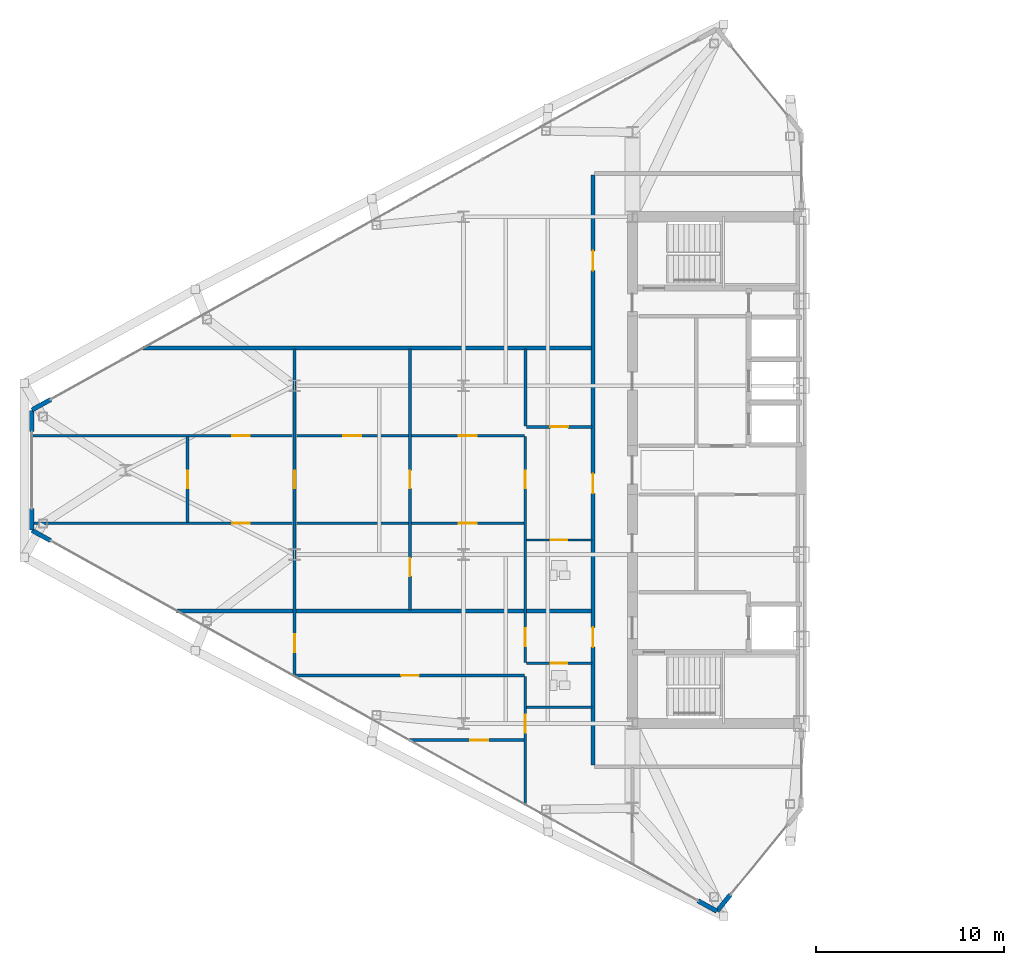
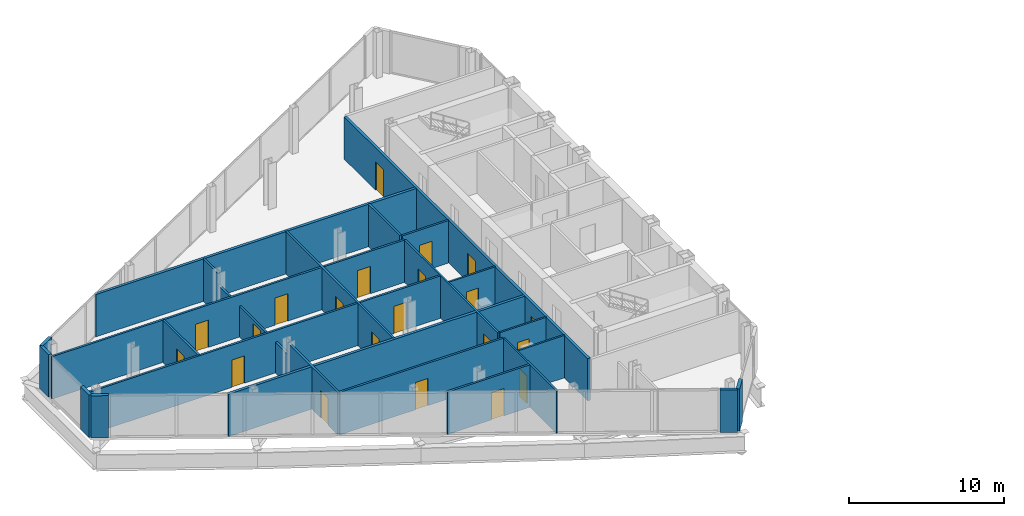
# One storey, part 20 of 28: 25 walls, 21 doors, 21 openings.
"""IFC4 building model written with IfcOpenShell, lengths in metres."""

from ifc_helpers import new_model, si_unit, direction, frame, frame_2d, origin, place, context, subcontext, project, spatial, rectangle, extrude, source, transform, mapped, material, layer, layer_set, type_object, type_shapes, element, fill, save


model = new_model("IFC4")

# Units and contexts
model_context = context("Model", 3, precision=1e-05, world=origin(), true_north=direction((0.0, 1.0)))
body_context = subcontext(model_context, "Body", "Model", "MODEL_VIEW")
ifc_project = project(units=[si_unit("LENGTHUNIT", "METRE"), si_unit("AREAUNIT", "SQUARE_METRE"), si_unit("VOLUMEUNIT", "CUBIC_METRE"), si_unit("PLANEANGLEUNIT", "RADIAN"), si_unit("MASSUNIT", "GRAM", prefix="KILO")], contexts=[model_context])

# Site, building, storey
site_placement = place(None, origin())
site = spatial("IfcSite", under=ifc_project, at=site_placement, CompositionType="ELEMENT")
building_placement = place(site_placement, origin())
building = spatial("IfcBuilding", under=site, at=building_placement, Name="Seokmaru Belvedere", CompositionType="ELEMENT")
storey_placement = place(building_placement, frame((0.0, 0.0, 158.39990234375)))
storey = spatial("IfcBuildingStorey", under=building, at=storey_placement, Name="L42", CompositionType="ELEMENT", Elevation=158.39990234375)

# Wall, opening, door
ifc_material_1 = material(Name="Fire-Rated Gypsum Shaftwall")
ifc_layer_1 = layer(ifc_material_1, 0.14990234375)
ifc_layer_set_1 = layer_set([ifc_layer_1], Name="Fire-Rated Gypsum Shaftwall")
wall_type_1 = type_object("IfcWallType", Name="Apartment Fire-Acoustic Room Partition 150", PredefinedType="PARTITIONING", material=ifc_layer_set_1)
wall_1_placement = place(storey_placement, frame((-48.425048828125, -14.3798828125, 0.0), z_axis=(0.0, 0.0, 1.0), x_axis=(1.0, 0.0, 0.0)))
wall_1 = element("IfcWall", 1, at=wall_1_placement, inside=storey, type_object=wall_type_1, Name="L42 Interior Partition 003", PredefinedType="PARTITIONING", context=body_context, shape_type="SweptSolid", body=[
    extrude(rectangle(XDim=6.175048828125, YDim=0.14990234375, at=frame_2d((3.08740234375, 0.0))), origin(), (0.0, 0.0, 1.0), 3.340087890625),
])
opening_1_placement = place(wall_1_placement, frame((3.281494140625, 0.0, 0.0)))
opening_1 = element("IfcOpeningElement", 2, at=opening_1_placement, cuts=wall_1, Name="Opening D05", PredefinedType="OPENING", context=body_context, shape_type="SweptSolid", body=[
    extrude(rectangle(XDim=0.949951171875, YDim=2.14990234375, at=frame_2d((0.47509765625, 1.074951171875))), frame((0.0, 0.0849609375, 0.0), z_axis=(0.0, -1.0, 0.0), x_axis=(1.0, 0.0, 0.0)), (0.0, 0.0, 1.0), 0.169921875),
])
ifc_material_2 = material(Name="Engineered White Oak Timber", Category="wood")
door_type_1 = type_object("IfcDoorType", Name="Apartment Interior Fire-Rated Oak Door 950x2150", OperationType="NOTDEFINED", PredefinedType="DOOR", material=ifc_material_2)
shared_shape_1 = source(origin(), body_context, "Body", "SweptSolid", [
    extrude(rectangle(XDim=0.949951171875, YDim=2.14990234375, at=frame_2d((0.47509765625, 1.074951171875))), frame((0.0, 0.02490234375, 0.0), z_axis=(0.0, -1.0, 0.0), x_axis=(1.0, 0.0, 0.0)), (0.0, 0.0, 1.0), 0.050048828125),
])
type_shapes(door_type_1, [shared_shape_1])
door_1_placement = place(opening_1_placement, origin())
door_1 = element("IfcDoor", 3, at=door_1_placement, inside=storey, type_object=door_type_1, Name="L42 Interior Door 007", OperationType="SINGLE_SWING_RIGHT", OverallHeight=2.14990234375, OverallWidth=0.949951171875, PredefinedType="DOOR", context=body_context, shape_type="MappedRepresentation", body=[
    mapped(shared_shape_1, transform((0.0, 0.0, 0.0), scale=1.0)),
])
fill(opening_1, door_1)

wall_2_placement = place(storey_placement, frame((-54.449951171875, -10.93994140625, 0.0), z_axis=(0.0, 0.0, 1.0), x_axis=(1.0, 0.0, 0.0)))
wall_2 = element("IfcWall", 4, at=wall_2_placement, inside=storey, type_object=wall_type_1, Name="L42 Interior Partition 005", PredefinedType="PARTITIONING", context=body_context, shape_type="SweptSolid", body=[
    extrude(rectangle(XDim=12.199951171875, YDim=0.14990234375, at=frame_2d((6.10009765625, 0.0))), origin(), (0.0, 0.0, 1.0), 3.340087890625),
])
opening_2_placement = place(wall_2_placement, frame((5.625, 0.0, 0.0)))
opening_2 = element("IfcOpeningElement", 5, at=opening_2_placement, cuts=wall_2, Name="Opening D05", PredefinedType="OPENING", context=body_context, shape_type="SweptSolid", body=[
    extrude(rectangle(XDim=0.949951171875, YDim=2.14990234375, at=frame_2d((0.47509765625, 1.074951171875))), frame((0.0, 0.0849609375, 0.0), z_axis=(0.0, -1.0, 0.0), x_axis=(1.0, 0.0, 0.0)), (0.0, 0.0, 1.0), 0.169921875),
])
door_2_placement = place(opening_2_placement, origin())
door_2 = element("IfcDoor", 6, at=door_2_placement, inside=storey, type_object=door_type_1, Name="L42 Interior Door 005", OperationType="SINGLE_SWING_RIGHT", OverallHeight=2.14990234375, OverallWidth=0.949951171875, PredefinedType="DOOR", context=body_context, shape_type="MappedRepresentation", body=[
    mapped(shared_shape_1, transform((0.0, 0.0, 0.0), scale=1.0)),
])
fill(opening_2, door_2)

# Wall, openings, doors
wall_3_placement = place(storey_placement, frame((-68.375, -2.830078125, 0.0), z_axis=(0.0, 0.0, 1.0), x_axis=(1.0, 0.0, 0.0)))
wall_3 = element("IfcWall", 7, at=wall_3_placement, inside=storey, type_object=wall_type_1, Name="L42 Interior Partition 009", PredefinedType="PARTITIONING", context=body_context, shape_type="SweptSolid", body=[
    extrude(rectangle(XDim=26.125, YDim=0.14990234375, at=frame_2d((13.0625, 0.0))), origin(), (0.0, 0.0, 1.0), 3.340087890625),
])
opening_3_placement = place(wall_3_placement, frame((22.625, 0.0, 0.0)))
opening_3 = element("IfcOpeningElement", 8, at=opening_3_placement, cuts=wall_3, Name="Opening D05", PredefinedType="OPENING", context=body_context, shape_type="SweptSolid", body=[
    extrude(rectangle(XDim=0.949951171875, YDim=2.14990234375, at=frame_2d((0.47509765625, 1.074951171875))), frame((0.0, 0.0849609375, 0.0), z_axis=(0.0, -1.0, 0.0), x_axis=(1.0, 0.0, 0.0)), (0.0, 0.0, 1.0), 0.169921875),
])
opening_4_placement = place(wall_3_placement, frame((10.550048828125, 0.0, 0.0)))
opening_4 = element("IfcOpeningElement", 9, at=opening_4_placement, cuts=wall_3, Name="Opening D05", PredefinedType="OPENING", context=body_context, shape_type="SweptSolid", body=[
    extrude(rectangle(XDim=0.949951171875, YDim=2.14990234375, at=frame_2d((0.47509765625, 1.074951171875))), frame((0.0, 0.0849609375, 0.0), z_axis=(0.0, -1.0, 0.0), x_axis=(1.0, 0.0, 0.0)), (0.0, 0.0, 1.0), 0.169921875),
])
door_3_placement = place(opening_3_placement, origin())
door_3 = element("IfcDoor", 10, at=door_3_placement, inside=storey, type_object=door_type_1, Name="L42 Interior Door 013", OperationType="SINGLE_SWING_LEFT", OverallHeight=2.14990234375, OverallWidth=0.949951171875, PredefinedType="DOOR", context=body_context, shape_type="MappedRepresentation", body=[
    mapped(shared_shape_1, transform((0.0, 0.0, 0.0), scale=1.0)),
])
fill(opening_3, door_3)
door_4_placement = place(opening_4_placement, origin())
door_4 = element("IfcDoor", 11, at=door_4_placement, inside=storey, type_object=door_type_1, Name="L42 Interior Door 017", OperationType="SINGLE_SWING_LEFT", OverallHeight=2.14990234375, OverallWidth=0.949951171875, PredefinedType="DOOR", context=body_context, shape_type="MappedRepresentation", body=[
    mapped(shared_shape_1, transform((0.0, 0.0, 0.0), scale=1.0)),
])
fill(opening_4, door_4)

wall_4_placement = place(storey_placement, frame((-68.534912109375, 1.830078125, 0.0), z_axis=(0.0, 0.0, 1.0), x_axis=(1.0, 0.0, 0.0)))
wall_4 = element("IfcWall", 12, at=wall_4_placement, inside=storey, type_object=wall_type_1, Name="L42 Interior Partition 011", PredefinedType="PARTITIONING", context=body_context, shape_type="SweptSolid", body=[
    extrude(rectangle(XDim=26.284912109375, YDim=0.14990234375, at=frame_2d((13.142578125, 0.0))), origin(), (0.0, 0.0, 1.0), 3.340087890625),
])
opening_5_placement = place(wall_4_placement, frame((22.784912109375, 0.0, 0.0)))
opening_5 = element("IfcOpeningElement", 13, at=opening_5_placement, cuts=wall_4, Name="Opening D05", PredefinedType="OPENING", context=body_context, shape_type="SweptSolid", body=[
    extrude(rectangle(XDim=0.949951171875, YDim=2.14990234375, at=frame_2d((0.47509765625, 1.074951171875))), frame((0.0, 0.0849609375, 0.0), z_axis=(0.0, -1.0, 0.0), x_axis=(1.0, 0.0, 0.0)), (0.0, 0.0, 1.0), 0.169921875),
])
opening_6_placement = place(wall_4_placement, frame((10.7099609375, 0.0, 0.0)))
opening_6 = element("IfcOpeningElement", 14, at=opening_6_placement, cuts=wall_4, Name="Opening D05", PredefinedType="OPENING", context=body_context, shape_type="SweptSolid", body=[
    extrude(rectangle(XDim=0.949951171875, YDim=2.14990234375, at=frame_2d((0.47509765625, 1.074951171875))), frame((0.0, 0.0849609375, 0.0), z_axis=(0.0, -1.0, 0.0), x_axis=(1.0, 0.0, 0.0)), (0.0, 0.0, 1.0), 0.169921875),
])
opening_7_placement = place(wall_4_placement, frame((16.635009765625, 0.0, 0.0)))
opening_7 = element("IfcOpeningElement", 15, at=opening_7_placement, cuts=wall_4, Name="Opening D05", PredefinedType="OPENING", context=body_context, shape_type="SweptSolid", body=[
    extrude(rectangle(XDim=0.949951171875, YDim=2.14990234375, at=frame_2d((0.47509765625, 1.074951171875))), frame((0.0, 0.0849609375, 0.0), z_axis=(0.0, -1.0, 0.0), x_axis=(1.0, 0.0, 0.0)), (0.0, 0.0, 1.0), 0.169921875),
])
door_5_placement = place(opening_5_placement, origin())
door_5 = element("IfcDoor", 16, at=door_5_placement, inside=storey, type_object=door_type_1, Name="L42 Interior Door 015", OperationType="SINGLE_SWING_RIGHT", OverallHeight=2.14990234375, OverallWidth=0.949951171875, PredefinedType="DOOR", context=body_context, shape_type="MappedRepresentation", body=[
    mapped(shared_shape_1, transform((0.0, 0.0, 0.0), scale=1.0)),
])
fill(opening_5, door_5)
door_6_placement = place(opening_6_placement, origin())
door_6 = element("IfcDoor", 17, at=door_6_placement, inside=storey, type_object=door_type_1, Name="L42 Interior Door 019", OperationType="SINGLE_SWING_RIGHT", OverallHeight=2.14990234375, OverallWidth=0.949951171875, PredefinedType="DOOR", context=body_context, shape_type="MappedRepresentation", body=[
    mapped(shared_shape_1, transform((0.0, 0.0, 0.0), scale=1.0)),
])
fill(opening_6, door_6)
door_7_placement = place(opening_7_placement, origin())
door_7 = element("IfcDoor", 18, at=door_7_placement, inside=storey, type_object=door_type_1, Name="L42 Interior Door 021", OperationType="SINGLE_SWING_RIGHT", OverallHeight=2.14990234375, OverallWidth=0.949951171875, PredefinedType="DOOR", context=body_context, shape_type="MappedRepresentation", body=[
    mapped(shared_shape_1, transform((0.0, 0.0, 0.0), scale=1.0)),
])
fill(opening_7, door_7)

# Wall, opening, door
wall_5_placement = place(storey_placement, frame((-42.14990234375, 2.300048828125, 0.0), z_axis=(0.0, 0.0, 1.0), x_axis=(1.0, 0.0, 0.0)))
wall_5 = element("IfcWall", 19, at=wall_5_placement, inside=storey, type_object=wall_type_1, Name="L42 Interior Partition 012", PredefinedType="PARTITIONING", context=body_context, shape_type="SweptSolid", body=[
    extrude(rectangle(XDim=3.5, YDim=0.14990234375, at=frame_2d((1.75, 0.0))), origin(), (0.0, 0.0, 1.0), 3.340087890625),
])
opening_8_placement = place(wall_5_placement, frame((1.27490234375, 0.0, 0.0)))
opening_8 = element("IfcOpeningElement", 20, at=opening_8_placement, cuts=wall_5, Name="Opening D05", PredefinedType="OPENING", context=body_context, shape_type="SweptSolid", body=[
    extrude(rectangle(XDim=0.949951171875, YDim=2.14990234375, at=frame_2d((0.47509765625, 1.074951171875))), frame((0.0, 0.0849609375, 0.0), z_axis=(0.0, -1.0, 0.0), x_axis=(1.0, 0.0, 0.0)), (0.0, 0.0, 1.0), 0.169921875),
])
door_8_placement = place(opening_8_placement, origin())
door_8 = element("IfcDoor", 21, at=door_8_placement, inside=storey, type_object=door_type_1, Name="L42 Interior Door 011", OperationType="SINGLE_SWING_LEFT", OverallHeight=2.14990234375, OverallWidth=0.949951171875, PredefinedType="DOOR", context=body_context, shape_type="MappedRepresentation", body=[
    mapped(shared_shape_1, transform((0.0, 0.0, 0.0), scale=1.0)),
])
fill(opening_8, door_8)

wall_6_placement = place(storey_placement, frame((-60.199951171875, -2.782958984375, 0.0), z_axis=(0.0, 0.0, 1.0), x_axis=(0.0, 1.0, 0.0)))
wall_6 = element("IfcWall", 22, at=wall_6_placement, inside=storey, type_object=wall_type_1, Name="L42 Interior Partition 021", PredefinedType="PARTITIONING", context=body_context, shape_type="SweptSolid", body=[
    extrude(rectangle(XDim=4.56591796875, YDim=0.14990234375, at=frame_2d((2.282958984375, 0.0))), origin(), (0.0, 0.0, 1.0), 3.340087890625),
])
opening_9_placement = place(wall_6_placement, frame((1.80810546875, 0.0, 0.0)))
opening_9 = element("IfcOpeningElement", 23, at=opening_9_placement, cuts=wall_6, Name="Opening D05", PredefinedType="OPENING", context=body_context, shape_type="SweptSolid", body=[
    extrude(rectangle(XDim=0.949951171875, YDim=2.14990234375, at=frame_2d((0.47509765625, 1.074951171875))), frame((0.0, 0.0849609375, 0.0), z_axis=(0.0, -1.0, 0.0), x_axis=(1.0, 0.0, 0.0)), (0.0, 0.0, 1.0), 0.169921875),
])
door_9_placement = place(opening_9_placement, origin())
door_9 = element("IfcDoor", 24, at=door_9_placement, inside=storey, type_object=door_type_1, Name="L42 Interior Door 018", OperationType="SINGLE_SWING_RIGHT", OverallHeight=2.14990234375, OverallWidth=0.949951171875, PredefinedType="DOOR", context=body_context, shape_type="MappedRepresentation", body=[
    mapped(shared_shape_1, transform((0.0, 0.0, 0.0), scale=1.0)),
])
fill(opening_9, door_9)

wall_7_placement = place(storey_placement, frame((-54.5, -10.89208984375, 0.0), z_axis=(0.0, 0.0, 1.0), x_axis=(0.0, 1.0, 0.0)))
wall_7 = element("IfcWall", 25, at=wall_7_placement, inside=storey, type_object=wall_type_1, Name="L42 Interior Partition 022", PredefinedType="PARTITIONING", context=body_context, shape_type="SweptSolid", body=[
    extrude(rectangle(XDim=6.3720703125, YDim=0.14990234375, at=frame_2d((3.18603515625, 0.0))), origin(), (0.0, 0.0, 1.0), 3.340087890625),
])
opening_10_placement = place(wall_7_placement, frame((1.19580078125, 0.0, 0.0)))
opening_10 = element("IfcOpeningElement", 26, at=opening_10_placement, cuts=wall_7, Name="Opening D05", PredefinedType="OPENING", context=body_context, shape_type="SweptSolid", body=[
    extrude(rectangle(XDim=0.949951171875, YDim=2.14990234375, at=frame_2d((0.47509765625, 1.074951171875))), frame((0.0, 0.0849609375, 0.0), z_axis=(0.0, -1.0, 0.0), x_axis=(1.0, 0.0, 0.0)), (0.0, 0.0, 1.0), 0.169921875),
])
door_10_placement = place(opening_10_placement, origin())
door_10 = element("IfcDoor", 27, at=door_10_placement, inside=storey, type_object=door_type_1, Name="L42 Interior Door 004", OperationType="SINGLE_SWING_RIGHT", OverallHeight=2.14990234375, OverallWidth=0.949951171875, PredefinedType="DOOR", context=body_context, shape_type="MappedRepresentation", body=[
    mapped(shared_shape_1, transform((0.0, 0.0, 0.0), scale=1.0)),
])
fill(opening_10, door_10)

wall_8_placement = place(storey_placement, frame((-54.5, -4.52001953125, 0.0), z_axis=(0.0, 0.0, 1.0), x_axis=(0.0, 1.0, 0.0)))
wall_8 = element("IfcWall", 28, at=wall_8_placement, inside=storey, type_object=wall_type_1, Name="L42 Interior Partition 022 Part 2", PredefinedType="PARTITIONING", context=body_context, shape_type="SweptSolid", body=[
    extrude(rectangle(XDim=9.0400390625, YDim=0.14990234375, at=frame_2d((4.52001953125, 0.0))), origin(), (0.0, 0.0, 1.0), 2.440185546875),
])
opening_11_placement = place(wall_8_placement, frame((3.544921875, 0.0, 0.0)))
opening_11 = element("IfcOpeningElement", 29, at=opening_11_placement, cuts=wall_8, Name="Opening D05", PredefinedType="OPENING", context=body_context, shape_type="SweptSolid", body=[
    extrude(rectangle(XDim=0.949951171875, YDim=2.14990234375, at=frame_2d((0.47509765625, 1.074951171875))), frame((0.0, 0.0849609375, 0.0), z_axis=(0.0, -1.0, 0.0), x_axis=(1.0, 0.0, 0.0)), (0.0, 0.0, 1.0), 0.169921875),
])
door_11_placement = place(opening_11_placement, origin())
door_11 = element("IfcDoor", 30, at=door_11_placement, inside=storey, type_object=door_type_1, Name="L42 Interior Door 016", OperationType="SINGLE_SWING_LEFT", OverallHeight=2.14990234375, OverallWidth=0.949951171875, PredefinedType="DOOR", context=body_context, shape_type="MappedRepresentation", body=[
    mapped(shared_shape_1, transform((0.0, 0.0, 0.0), scale=1.0)),
])
fill(opening_11, door_11)

# Wall
wall_9_placement = place(storey_placement, frame((-54.5, 4.52001953125, 0.0), z_axis=(0.0, 0.0, 1.0), x_axis=(0.0, 1.0, 0.0)))
element("IfcWall", 31, at=wall_9_placement, inside=storey, type_object=wall_type_1, Name="L42 Interior Partition 022 Part 3", PredefinedType="PARTITIONING", context=body_context, shape_type="SweptSolid", body=[
    extrude(rectangle(XDim=1.929931640625, YDim=0.14990234375, at=frame_2d((0.96484375, 0.0))), origin(), (0.0, 0.0, 1.0), 3.340087890625),
])

# Wall, openings, doors
wall_10_placement = place(storey_placement, frame((-48.35009765625, -7.449951171875, 0.0), z_axis=(0.0, 0.0, 1.0), x_axis=(0.0, 1.0, 0.0)))
wall_10 = element("IfcWall", 32, at=wall_10_placement, inside=storey, type_object=wall_type_1, Name="L42 Interior Partition 023", PredefinedType="PARTITIONING", context=body_context, shape_type="SweptSolid", body=[
    extrude(rectangle(XDim=13.89990234375, YDim=0.14990234375, at=frame_2d((6.949951171875, 0.0))), origin(), (0.0, 0.0, 1.0), 3.340087890625),
])
opening_12_placement = place(wall_10_placement, frame((6.47509765625, 0.0, 0.0)))
opening_12 = element("IfcOpeningElement", 33, at=opening_12_placement, cuts=wall_10, Name="Opening D05", PredefinedType="OPENING", context=body_context, shape_type="SweptSolid", body=[
    extrude(rectangle(XDim=0.949951171875, YDim=2.14990234375, at=frame_2d((0.47509765625, 1.074951171875))), frame((0.0, 0.0849609375, 0.0), z_axis=(0.0, -1.0, 0.0), x_axis=(1.0, 0.0, 0.0)), (0.0, 0.0, 1.0), 0.169921875),
])
opening_13_placement = place(wall_10_placement, frame((1.808349609375, 0.0, 0.0)))
opening_13 = element("IfcOpeningElement", 34, at=opening_13_placement, cuts=wall_10, Name="Opening D05", PredefinedType="OPENING", context=body_context, shape_type="SweptSolid", body=[
    extrude(rectangle(XDim=0.949951171875, YDim=2.14990234375, at=frame_2d((0.47509765625, 1.074951171875))), frame((0.0, 0.0849609375, 0.0), z_axis=(0.0, -1.0, 0.0), x_axis=(1.0, 0.0, 0.0)), (0.0, 0.0, 1.0), 0.169921875),
])
door_12_placement = place(opening_12_placement, origin())
door_12 = element("IfcDoor", 35, at=door_12_placement, inside=storey, type_object=door_type_1, Name="L42 Interior Door 014", OperationType="SINGLE_SWING_RIGHT", OverallHeight=2.14990234375, OverallWidth=0.949951171875, PredefinedType="DOOR", context=body_context, shape_type="MappedRepresentation", body=[
    mapped(shared_shape_1, transform((0.0, 0.0, 0.0), scale=1.0)),
])
fill(opening_12, door_12)
door_13_placement = place(opening_13_placement, origin())
door_13 = element("IfcDoor", 36, at=door_13_placement, inside=storey, type_object=door_type_1, Name="L42 Interior Door 020", OperationType="SINGLE_SWING_RIGHT", OverallHeight=2.14990234375, OverallWidth=0.949951171875, PredefinedType="DOOR", context=body_context, shape_type="MappedRepresentation", body=[
    mapped(shared_shape_1, transform((0.0, 0.0, 0.0), scale=1.0)),
])
fill(opening_13, door_13)

# Walls
wall_11_placement = place(storey_placement, frame((-42.199951171875, 2.35205078125, 0.0), z_axis=(0.0, 0.0, 1.0), x_axis=(0.0, 1.0, 0.0)))
element("IfcWall", 37, at=wall_11_placement, inside=storey, type_object=wall_type_1, Name="L42 Interior Partition 026", PredefinedType="PARTITIONING", context=body_context, shape_type="SweptSolid", body=[
    extrude(rectangle(XDim=4.097900390625, YDim=0.14990234375, at=frame_2d((2.048828125, 0.0))), origin(), (0.0, 0.0, 1.0), 3.340087890625),
])
ifc_layer_2 = layer(ifc_material_1, 0.199951171875)
ifc_layer_set_2 = layer_set([ifc_layer_2], Name="Fire-Rated Gypsum Shaftwall")
wall_type_2 = type_object("IfcWallType", Name="Inter-Tenancy Fire Compartment Partition 200", PredefinedType="PARTITIONING", material=ifc_layer_set_2)
wall_12_placement = place(storey_placement, frame((-60.779052734375, -7.5, 0.0), z_axis=(0.0, 0.0, 1.0), x_axis=(1.0, 0.0, 0.0)))
element("IfcWall", 38, at=wall_12_placement, inside=storey, type_object=wall_type_2, Name="L42 Interior Partition 007", PredefinedType="PARTITIONING", context=body_context, shape_type="SweptSolid", body=[
    extrude(rectangle(XDim=22.09912109375, YDim=0.199951171875, at=frame_2d((11.049560546875, 0.0))), origin(), (0.0, 0.0, 1.0), 3.340087890625),
])
wall_13_placement = place(storey_placement, frame((-62.576904296875, 6.5, 0.0), z_axis=(0.0, 0.0, 1.0), x_axis=(1.0, 0.0, 0.0)))
element("IfcWall", 39, at=wall_13_placement, inside=storey, type_object=wall_type_2, Name="L42 Interior Partition 016", PredefinedType="PARTITIONING", context=body_context, shape_type="SweptSolid", body=[
    extrude(rectangle(XDim=23.89697265625, YDim=0.199951171875, at=frame_2d((11.948486328125, 0.0))), origin(), (0.0, 0.0, 1.0), 3.340087890625),
])

# Wall, openings, doors
wall_14_placement = place(storey_placement, frame((-38.60009765625, -15.715087890625, 0.0), z_axis=(0.0, 0.0, 1.0), x_axis=(0.0, 1.0, 0.0)))
wall_14 = element("IfcWall", 40, at=wall_14_placement, inside=storey, type_object=wall_type_2, Name="L42 Interior Partition 027", PredefinedType="PARTITIONING", context=body_context, shape_type="SweptSolid", body=[
    extrude(rectangle(XDim=31.43017578125, YDim=0.199951171875, at=frame_2d((15.715087890625, 0.0))), origin(), (0.0, 0.0, 1.0), 3.340087890625),
])
opening_14_placement = place(wall_14_placement, frame((6.29248046875, 0.0, 0.0)))
opening_14 = element("IfcOpeningElement", 41, at=opening_14_placement, cuts=wall_14, Name="Opening D03", PredefinedType="OPENING", context=body_context, shape_type="SweptSolid", body=[
    extrude(rectangle(XDim=1.050048828125, YDim=2.25, at=frame_2d((0.52490234375, 1.125))), frame((0.0, 0.10986328125, 0.0), z_axis=(0.0, -1.0, 0.0), x_axis=(1.0, 0.0, 0.0)), (0.0, 0.0, 1.0), 0.219970703125),
])
opening_15_placement = place(wall_14_placement, frame((14.47998046875, 0.0, 0.0)))
opening_15 = element("IfcOpeningElement", 42, at=opening_15_placement, cuts=wall_14, Name="Opening D03", PredefinedType="OPENING", context=body_context, shape_type="SweptSolid", body=[
    extrude(rectangle(XDim=1.050048828125, YDim=2.25, at=frame_2d((0.52490234375, 1.125))), frame((0.0, 0.10986328125, 0.0), z_axis=(0.0, -1.0, 0.0), x_axis=(1.0, 0.0, 0.0)), (0.0, 0.0, 1.0), 0.219970703125),
])
opening_16_placement = place(wall_14_placement, frame((26.340087890625, 0.0, 0.0)))
opening_16 = element("IfcOpeningElement", 43, at=opening_16_placement, cuts=wall_14, Name="Opening D03", PredefinedType="OPENING", context=body_context, shape_type="SweptSolid", body=[
    extrude(rectangle(XDim=1.050048828125, YDim=2.25, at=frame_2d((0.52490234375, 1.125))), frame((0.0, 0.10986328125, 0.0), z_axis=(0.0, -1.0, 0.0), x_axis=(1.0, 0.0, 0.0)), (0.0, 0.0, 1.0), 0.219970703125),
])
ifc_material_3 = material(Name="Fire-Rated Steel Leaf", Category="steel")
door_type_2 = type_object("IfcDoorType", Name="Apartment Entrance Fire Door 1050x2250", OperationType="NOTDEFINED", PredefinedType="DOOR", material=ifc_material_3)
shared_shape_2 = source(origin(), body_context, "Body", "SweptSolid", [
    extrude(rectangle(XDim=1.050048828125, YDim=2.25, at=frame_2d((0.52490234375, 1.125))), frame((0.0, 0.02490234375, 0.0), z_axis=(0.0, -1.0, 0.0), x_axis=(1.0, 0.0, 0.0)), (0.0, 0.0, 1.0), 0.050048828125),
])
type_shapes(door_type_2, [shared_shape_2])
door_14_placement = place(opening_14_placement, origin())
door_14 = element("IfcDoor", 44, at=door_14_placement, inside=storey, type_object=door_type_2, Name="L42 Interior Door 001", OperationType="SINGLE_SWING_RIGHT", OverallHeight=2.25, OverallWidth=1.050048828125, PredefinedType="DOOR", context=body_context, shape_type="MappedRepresentation", body=[
    mapped(shared_shape_2, transform((0.0, 0.0, 0.0), scale=1.0)),
])
fill(opening_14, door_14)
door_15_placement = place(opening_15_placement, origin())
door_15 = element("IfcDoor", 45, at=door_15_placement, inside=storey, type_object=door_type_2, Name="L42 Interior Door 009", OperationType="SINGLE_SWING_LEFT", OverallHeight=2.25, OverallWidth=1.050048828125, PredefinedType="DOOR", context=body_context, shape_type="MappedRepresentation", body=[
    mapped(shared_shape_2, transform((0.0, 0.0, 0.0), scale=1.0)),
])
fill(opening_15, door_15)
door_16_placement = place(opening_16_placement, origin())
door_16 = element("IfcDoor", 46, at=door_16_placement, inside=storey, type_object=door_type_2, Name="L42 Interior Door 022", OperationType="SINGLE_SWING_RIGHT", OverallHeight=2.25, OverallWidth=1.050048828125, PredefinedType="DOOR", context=body_context, shape_type="MappedRepresentation", body=[
    mapped(shared_shape_2, transform((0.0, 0.0, 0.0), scale=1.0)),
])
fill(opening_16, door_16)

# Wall
ifc_layer_3 = layer(ifc_material_1, 0.1298828125)
ifc_layer_set_3 = layer_set([ifc_layer_3], Name="Fire-Rated Gypsum Shaftwall")
wall_type_3 = type_object("IfcWallType", Name="Moisture-Resistant Fire-Rated Bathroom Partition 130", PredefinedType="PARTITIONING", material=ifc_layer_set_3)
wall_15_placement = place(storey_placement, frame((-42.14990234375, -12.639892578125, 0.0), z_axis=(0.0, 0.0, 1.0), x_axis=(1.0, 0.0, 0.0)))
element("IfcWall", 47, at=wall_15_placement, inside=storey, type_object=wall_type_3, Name="L42 Interior Partition 004", PredefinedType="PARTITIONING", context=body_context, shape_type="SweptSolid", body=[
    extrude(rectangle(XDim=3.5, YDim=0.1298828125, at=frame_2d((1.75, 0.0))), origin(), (0.0, 0.0, 1.0), 3.340087890625),
])

# Wall, opening, door
wall_16_placement = place(storey_placement, frame((-42.14990234375, -10.2900390625, 0.0), z_axis=(0.0, 0.0, 1.0), x_axis=(1.0, 0.0, 0.0)))
wall_16 = element("IfcWall", 48, at=wall_16_placement, inside=storey, type_object=wall_type_3, Name="L42 Interior Partition 006", PredefinedType="PARTITIONING", context=body_context, shape_type="SweptSolid", body=[
    extrude(rectangle(XDim=3.5, YDim=0.1298828125, at=frame_2d((1.75, 0.0))), origin(), (0.0, 0.0, 1.0), 3.340087890625),
])
opening_17_placement = place(wall_16_placement, frame((1.31005859375, 0.0, 0.0)))
opening_17 = element("IfcOpeningElement", 49, at=opening_17_placement, cuts=wall_16, Name="Opening D06", PredefinedType="OPENING", context=body_context, shape_type="SweptSolid", body=[
    extrude(rectangle(XDim=0.8798828125, YDim=2.10009765625, at=frame_2d((0.43994140625, 1.050048828125))), frame((0.0, 0.074951171875, 0.0), z_axis=(0.0, -1.0, 0.0), x_axis=(1.0, 0.0, 0.0)), (0.0, 0.0, 1.0), 0.14990234375),
])
door_type_3 = type_object("IfcDoorType", Name="Bathroom and Restroom Fire-Rated Door 880x2100", OperationType="NOTDEFINED", PredefinedType="DOOR", material=ifc_material_2)
shared_shape_3 = source(origin(), body_context, "Body", "SweptSolid", [
    extrude(rectangle(XDim=0.8798828125, YDim=2.10009765625, at=frame_2d((0.43994140625, 1.050048828125))), frame((0.0, 0.02490234375, 0.0), z_axis=(0.0, -1.0, 0.0), x_axis=(1.0, 0.0, 0.0)), (0.0, 0.0, 1.0), 0.050048828125),
])
type_shapes(door_type_3, [shared_shape_3])
door_17_placement = place(opening_17_placement, origin())
door_17 = element("IfcDoor", 50, at=door_17_placement, inside=storey, type_object=door_type_3, Name="L42 Interior Door 002", OperationType="SINGLE_SWING_LEFT", OverallHeight=2.10009765625, OverallWidth=0.8798828125, PredefinedType="DOOR", context=body_context, shape_type="MappedRepresentation", body=[
    mapped(shared_shape_3, transform((0.0, 0.0, 0.0), scale=1.0)),
])
fill(opening_17, door_17)

wall_17_placement = place(storey_placement, frame((-42.14990234375, -3.719970703125, 0.0), z_axis=(0.0, 0.0, 1.0), x_axis=(1.0, 0.0, 0.0)))
wall_17 = element("IfcWall", 51, at=wall_17_placement, inside=storey, type_object=wall_type_3, Name="L42 Interior Partition 008", PredefinedType="PARTITIONING", context=body_context, shape_type="SweptSolid", body=[
    extrude(rectangle(XDim=3.5, YDim=0.1298828125, at=frame_2d((1.75, 0.0))), origin(), (0.0, 0.0, 1.0), 3.340087890625),
])
opening_18_placement = place(wall_17_placement, frame((1.31005859375, 0.0, 0.0)))
opening_18 = element("IfcOpeningElement", 52, at=opening_18_placement, cuts=wall_17, Name="Opening D06", PredefinedType="OPENING", context=body_context, shape_type="SweptSolid", body=[
    extrude(rectangle(XDim=0.8798828125, YDim=2.10009765625, at=frame_2d((0.43994140625, 1.050048828125))), frame((0.0, 0.074951171875, 0.0), z_axis=(0.0, -1.0, 0.0), x_axis=(1.0, 0.0, 0.0)), (0.0, 0.0, 1.0), 0.14990234375),
])
door_18_placement = place(opening_18_placement, origin())
door_18 = element("IfcDoor", 53, at=door_18_placement, inside=storey, type_object=door_type_3, Name="L42 Interior Door 010", OperationType="SINGLE_SWING_LEFT", OverallHeight=2.10009765625, OverallWidth=0.8798828125, PredefinedType="DOOR", context=body_context, shape_type="MappedRepresentation", body=[
    mapped(shared_shape_3, transform((0.0, 0.0, 0.0), scale=1.0)),
])
fill(opening_18, door_18)

wall_18_placement = place(storey_placement, frame((-42.199951171875, -17.862060546875, 0.0), z_axis=(0.0, 0.0, 1.0), x_axis=(0.0, 1.0, 0.0)))
wall_18 = element("IfcWall", 54, at=wall_18_placement, inside=storey, type_object=wall_type_3, Name="L42 Interior Partition 024", PredefinedType="PARTITIONING", context=body_context, shape_type="SweptSolid", body=[
    extrude(rectangle(XDim=6.8701171875, YDim=0.1298828125, at=frame_2d((3.43505859375, 0.0))), origin(), (0.0, 0.0, 1.0), 3.340087890625),
])
opening_19_placement = place(wall_18_placement, frame((3.8720703125, 0.0, 0.0)))
opening_19 = element("IfcOpeningElement", 55, at=opening_19_placement, cuts=wall_18, Name="Opening D05", PredefinedType="OPENING", context=body_context, shape_type="SweptSolid", body=[
    extrude(rectangle(XDim=0.949951171875, YDim=2.14990234375, at=frame_2d((0.47509765625, 1.074951171875))), frame((0.0, 0.074951171875, 0.0), z_axis=(0.0, -1.0, 0.0), x_axis=(1.0, 0.0, 0.0)), (0.0, 0.0, 1.0), 0.14990234375),
])
door_19_placement = place(opening_19_placement, origin())
door_19 = element("IfcDoor", 56, at=door_19_placement, inside=storey, type_object=door_type_1, Name="L42 Interior Door 006", OperationType="SINGLE_SWING_LEFT", OverallHeight=2.14990234375, OverallWidth=0.949951171875, PredefinedType="DOOR", context=body_context, shape_type="MappedRepresentation", body=[
    mapped(shared_shape_1, transform((0.0, 0.0, 0.0), scale=1.0)),
])
fill(opening_19, door_19)

# Wall, openings, doors
wall_19_placement = place(storey_placement, frame((-42.199951171875, -10.2451171875, 0.0), z_axis=(0.0, 0.0, 1.0), x_axis=(0.0, 1.0, 0.0)))
wall_19 = element("IfcWall", 57, at=wall_19_placement, inside=storey, type_object=wall_type_3, Name="L42 Interior Partition 025", PredefinedType="PARTITIONING", context=body_context, shape_type="SweptSolid", body=[
    extrude(rectangle(XDim=12.028076171875, YDim=0.1298828125, at=frame_2d((6.01416015625, 0.0))), origin(), (0.0, 0.0, 1.0), 3.340087890625),
])
opening_20_placement = place(wall_19_placement, frame((0.87255859375, 0.0, 0.0)))
opening_20 = element("IfcOpeningElement", 58, at=opening_20_placement, cuts=wall_19, Name="Opening D05", PredefinedType="OPENING", context=body_context, shape_type="SweptSolid", body=[
    extrude(rectangle(XDim=0.949951171875, YDim=2.14990234375, at=frame_2d((0.47509765625, 1.074951171875))), frame((0.0, 0.074951171875, 0.0), z_axis=(0.0, -1.0, 0.0), x_axis=(1.0, 0.0, 0.0)), (0.0, 0.0, 1.0), 0.14990234375),
])
opening_21_placement = place(wall_19_placement, frame((9.27001953125, 0.0, 0.0)))
opening_21 = element("IfcOpeningElement", 59, at=opening_21_placement, cuts=wall_19, Name="Opening D05", PredefinedType="OPENING", context=body_context, shape_type="SweptSolid", body=[
    extrude(rectangle(XDim=0.949951171875, YDim=2.14990234375, at=frame_2d((0.47509765625, 1.074951171875))), frame((0.0, 0.074951171875, 0.0), z_axis=(0.0, -1.0, 0.0), x_axis=(1.0, 0.0, 0.0)), (0.0, 0.0, 1.0), 0.14990234375),
])
door_20_placement = place(opening_20_placement, origin())
door_20 = element("IfcDoor", 60, at=door_20_placement, inside=storey, type_object=door_type_1, Name="L42 Interior Door 003", OperationType="SINGLE_SWING_RIGHT", OverallHeight=2.14990234375, OverallWidth=0.949951171875, PredefinedType="DOOR", context=body_context, shape_type="MappedRepresentation", body=[
    mapped(shared_shape_1, transform((0.0, 0.0, 0.0), scale=1.0)),
])
fill(opening_20, door_20)
door_21_placement = place(opening_21_placement, origin())
door_21 = element("IfcDoor", 61, at=door_21_placement, inside=storey, type_object=door_type_1, Name="L42 Interior Door 012", OperationType="SINGLE_SWING_RIGHT", OverallHeight=2.14990234375, OverallWidth=0.949951171875, PredefinedType="DOOR", context=body_context, shape_type="MappedRepresentation", body=[
    mapped(shared_shape_1, transform((0.0, 0.0, 0.0), scale=1.0)),
])
fill(opening_21, door_21)

# Walls
ifc_material_4 = material(Name="Anodised Bronze Aluminium", Category="aluminium")
ifc_layer_4 = layer(ifc_material_4, 0.239990234375)
ifc_layer_set_4 = layer_set([ifc_layer_4], Name="Anodised Bronze Aluminium")
wall_type_4 = type_object("IfcWallType", Name="Tower Corner Spandrel Closure Wall 240", PredefinedType="SOLIDWALL", material=ifc_layer_set_4)
for number, where, z_axis, x_axis, name in (
    (62, (-67.4951171875, 3.759033203125, 0.0), (0.0, 0.0, 1.0), (-0.87385402111, -0.486188389196, 0.0), "L42 W Corner Closure Pier 3B"),
    (63, (-68.5, 3.18994140625, 0.0), (0.0, 0.0, 1.0), (0.0, -1.0, 0.0), "L42 W Corner Closure Pier 4A"),
    (64, (-68.5, -2.050048828125, 0.0), (0.0, 0.0, 1.0), (0.0, -1.0, 0.0), "L42 W Corner Closure Pier 4B"),
    (65, (-68.4912109375, -3.204833984375, 0.0), (0.0, 0.0, 1.0), (0.87385402111, -0.486188389196, 0.0), "L42 W Corner Closure Pier 5A"),
    (66, (-33.0048828125, -22.94091796875, 0.0), (0.0, 0.0, 1.0), (0.87385402111, -0.486188389196, 0.0), "L42 W Corner Closure Pier 5B"),
):
    element("IfcWall", number, at=place(storey_placement, frame(where, z_axis=z_axis, x_axis=x_axis)), inside=storey, type_object=wall_type_4, Name=name, PredefinedType="SOLIDWALL", context=body_context, shape_type="SweptSolid", body=[
        extrude(rectangle(XDim=1.139892578125, YDim=0.239990234375, at=frame_2d((0.56982421875, 0.0))), origin(), (0.0, 0.0, 1.0), 3.340087890625),
    ])
wall_20_placement = place(storey_placement, frame((-31.99365234375, -23.4921875, 0.0), z_axis=(0.0, 0.0, 1.0), x_axis=(0.633249451965, 0.77394775766, 0.0)))
element("IfcWall", 67, at=wall_20_placement, inside=storey, type_object=wall_type_4, Name="L42 W Corner Closure Pier 6A", PredefinedType="SOLIDWALL", context=body_context, shape_type="SweptSolid", body=[
    extrude(rectangle(XDim=1.14013671875, YDim=0.239990234375, at=frame_2d((0.570068359375, 0.0))), origin(), (0.0, 0.0, 1.0), 3.340087890625),
])

save(model, "model.ifc")
